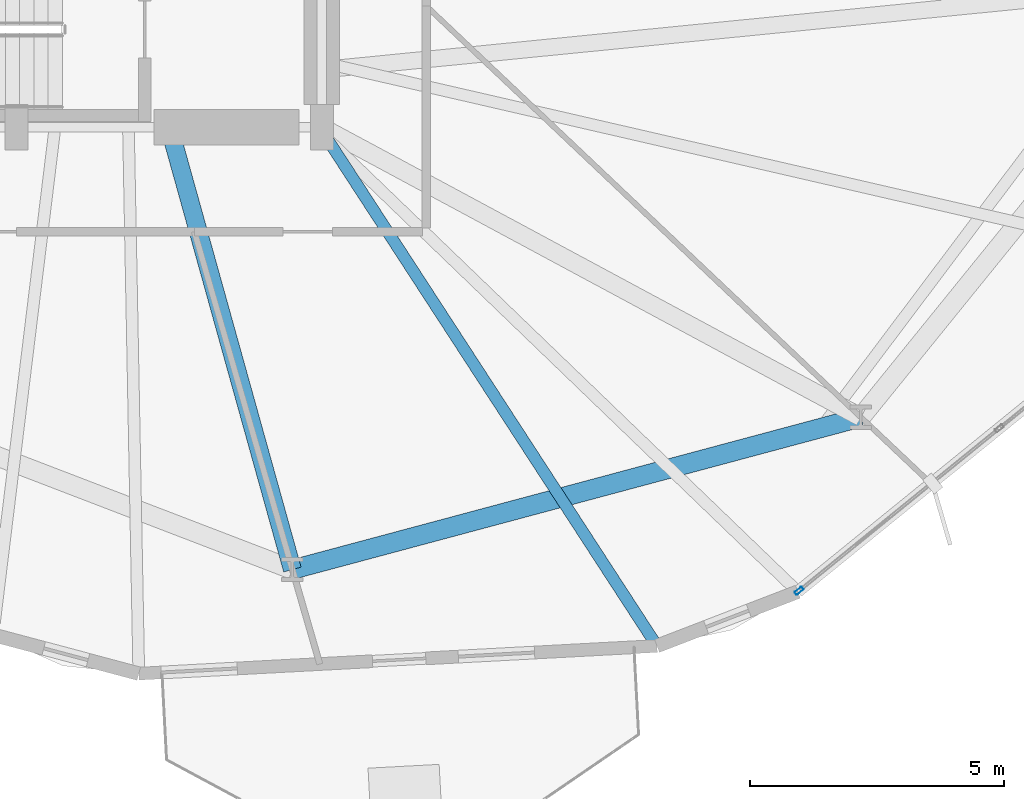
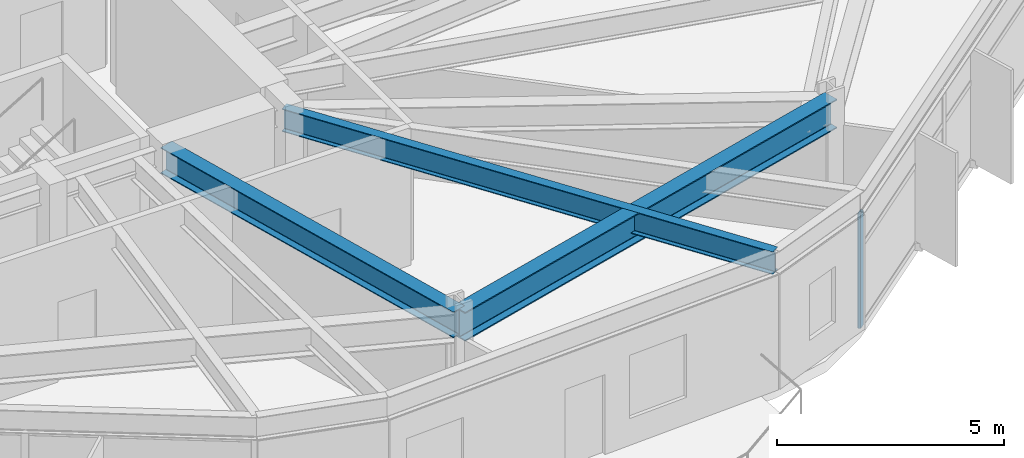
# One storey, part 5 of 23: 3 beams, 1 member, 1 element without a shape of its own.
"""IFC4 building model written with IfcOpenShell, lengths in metres."""

from ifc_helpers import new_model, si_unit, direction, frame, origin, origin_2d, place, context, subcontext, project, spatial, hollow_rectangle, i_section, extrude, material, layer, layer_set, material_profile, profile_set, type_object, element, aggregate, save


model = new_model("IFC4")

# Units and contexts
model_context = context("Model", 3, precision=1e-05, world=origin(), true_north=direction((0.0, 1.0)))
body_context = subcontext(model_context, "Body", "Model", "MODEL_VIEW")
ifc_project = project(units=[si_unit("LENGTHUNIT", "METRE"), si_unit("AREAUNIT", "SQUARE_METRE"), si_unit("VOLUMEUNIT", "CUBIC_METRE"), si_unit("PLANEANGLEUNIT", "RADIAN"), si_unit("MASSUNIT", "GRAM", prefix="KILO")], contexts=[model_context])

# Site, building, storey
site_placement = place(None, origin())
site = spatial("IfcSite", under=ifc_project, at=site_placement, CompositionType="ELEMENT")
building_placement = place(site_placement, origin())
building = spatial("IfcBuilding", under=site, at=building_placement, Name="Soratama Intermodal Tower", CompositionType="ELEMENT")
storey_placement = place(building_placement, frame((0.0, 0.0, 38.60009765625)))
storey = spatial("IfcBuildingStorey", under=building, at=storey_placement, Name="L08", CompositionType="ELEMENT", Elevation=38.60009765625)

# Beams
ifc_material_1 = material(Name="Structural steel ASTM A992 Grade 50", Category="steel")
ifc_material_profile_1 = material_profile(ifc_material_1, i_section(OverallWidth=0.35498046875, OverallDepth=0.695068359375, WebThickness=0.015380859375, FlangeThickness=0.02490234375, FilletRadius=0.01611328125, at=origin_2d()), Name="W27X146")
ifc_profile_set_1 = profile_set([ifc_material_profile_1], Name="Structural steel ASTM A992 Grade 50")
beam_type_1 = type_object("IfcBeamType", Name="BM-RING-W27X146", PredefinedType="BEAM", material=ifc_profile_set_1)
beam_1_placement = place(storey_placement, frame((41.60009765625, 15.0, 3.352294921875), z_axis=(0.26814752121, -0.963377862974, 0.0), x_axis=(0.963377862974, 0.26814752121, 0.0)))
element("IfcBeam", 1, at=beam_1_placement, inside=storey, type_object=beam_type_1, Name="BM-L08-RAD-08", PredefinedType="BEAM", context=body_context, shape_type="SweptSolid", body=[
    extrude(i_section(OverallWidth=0.35498046875, OverallDepth=0.695068359375, WebThickness=0.015380859375, FlangeThickness=0.02490234375, FilletRadius=0.01611328125, at=origin_2d()), origin(), (0.0, 0.0, 1.0), 9.024658203125),
])
ifc_material_2 = material(Name="Structural steel ASTM A992 Grade 50", Category="steel")
ifc_material_profile_2 = material_profile(ifc_material_2, i_section(OverallWidth=0.382080078125, OverallDepth=0.779052734375, WebThickness=0.01806640625, FlangeThickness=0.030029296875, FilletRadius=0.01806640625, at=origin_2d()), Name="W30X191")
ifc_profile_set_2 = profile_set([ifc_material_profile_2], Name="Structural steel ASTM A992 Grade 50")
beam_type_2 = type_object("IfcBeamType", Name="BM-RING-W30X191", PredefinedType="BEAM", material=ifc_profile_set_2)
beam_2_placement = place(storey_placement, frame((44.02001953125, 6.305908203125, 3.310302734375), z_axis=(0.965935902196, 0.258781438376, 0.0), x_axis=(-0.258781438376, 0.965935902196, 0.0)))
element("IfcBeam", 2, at=beam_2_placement, inside=storey, type_object=beam_type_2, Name="BM-L08-RING-08", PredefinedType="BEAM", context=body_context, shape_type="SweptSolid", body=[
    extrude(i_section(OverallWidth=0.382080078125, OverallDepth=0.779052734375, WebThickness=0.01806640625, FlangeThickness=0.030029296875, FilletRadius=0.01806640625, at=origin_2d()), origin(), (0.0, 0.0, 1.0), 11.570068359375),
])
ifc_material_3 = material(Name="Structural steel ASTM A992 Grade 50", Category="steel")
ifc_material_profile_3 = material_profile(ifc_material_3, i_section(OverallWidth=0.22900390625, OverallDepth=0.612060546875, WebThickness=0.011962890625, FlangeThickness=0.01953125, FilletRadius=0.012939453125, at=origin_2d()), Name="W24X84")
ifc_profile_set_3 = profile_set([ifc_material_profile_3], Name="Structural steel ASTM A992 Grade 50")
beam_type_3 = type_object("IfcBeamType", Name="BM-TIE-W24X84", PredefinedType="BEAM", material=ifc_profile_set_3)
beam_3_placement = place(storey_placement, frame((44.5791015625, 14.966064453125, 3.393798828125), z_axis=(0.545155395667, -0.83833501333, 0.0), x_axis=(0.83833501333, 0.545155395667, 0.0)))
element("IfcBeam", 3, at=beam_3_placement, inside=storey, type_object=beam_type_3, Name="BM-L08-TIE1-08", PredefinedType="BEAM", context=body_context, shape_type="SweptSolid", body=[
    extrude(i_section(OverallWidth=0.22900390625, OverallDepth=0.612060546875, WebThickness=0.011962890625, FlangeThickness=0.01953125, FilletRadius=0.012939453125, at=origin_2d()), origin(), (0.0, 0.0, 1.0), 12.123046875),
])

# Curtain wall, member
ifc_material_4 = material(Name="Double-glazed aluminium curtain wall", Category="aluminium")
ifc_layer = layer(ifc_material_4, 0.159912109375)
ifc_layer_set = layer_set([ifc_layer], Name="Double-glazed aluminium curtain wall")
curtain_wall_type = type_object("IfcCurtainWallType", Name="CW-SYS-2", PredefinedType="NOTDEFINED", material=ifc_layer_set)
curtain_wall_placement = place(storey_placement, origin())
curtain_wall = element("IfcCurtainWall", 4, at=curtain_wall_placement, inside=storey, type_object=curtain_wall_type, Name="L08 Faceted Curtain Wall F09", PredefinedType="NOTDEFINED")
ifc_material_5 = material(Name="Anodised aluminium AA 6063-T6", Category="aluminium")
ifc_material_profile_4 = material_profile(ifc_material_5, hollow_rectangle(XDim=0.074951171875, YDim=0.179931640625, WallThickness=0.006103515625, InnerFilletRadius=0.006103515625, OuterFilletRadius=0.011962890625, at=origin_2d()), Name="CWM180X75X6")
ifc_profile_set_4 = profile_set([ifc_material_profile_4], Name="Anodised aluminium AA 6063-T6")
member_type = type_object("IfcMemberType", Name="MT-CWM-2", PredefinedType="MULLION", material=ifc_profile_set_4)
member_placement = place(storey_placement, frame((53.979248046875, 5.888427734375, 0.0), z_axis=(0.0, 0.0, 1.0), x_axis=(-0.630137110641, 0.776483883795, 0.0)))
member = element("IfcMember", 5, at=member_placement, type_object=member_type, Name="CW-2 mullion 1", PredefinedType="MULLION", context=body_context, shape_type="SweptSolid", body=[
    extrude(hollow_rectangle(XDim=0.074951171875, YDim=0.179931640625, WallThickness=0.006103515625, InnerFilletRadius=0.006103515625, OuterFilletRadius=0.011962890625, at=origin_2d()), origin(), (0.0, 0.0, 1.0), 3.078857421875),
])
aggregate(curtain_wall, [member])

save(model, "model.ifc")
